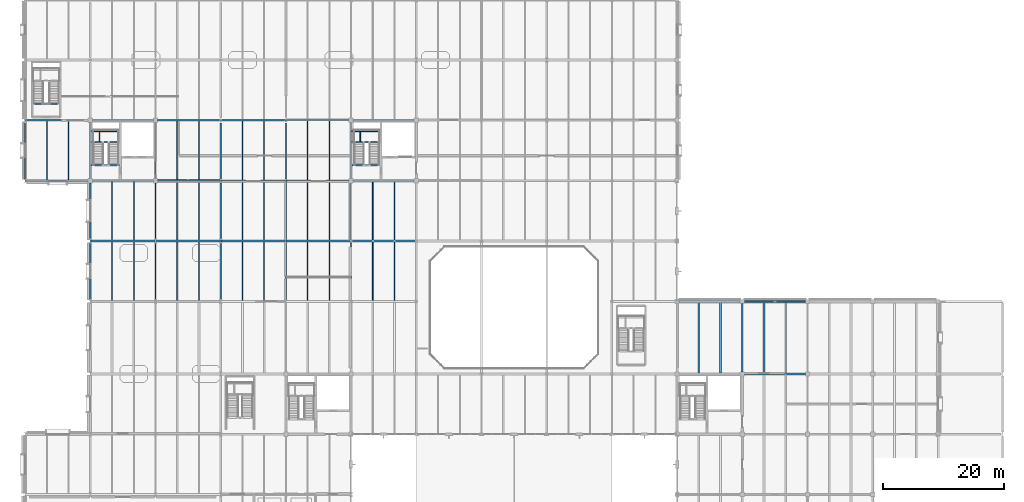
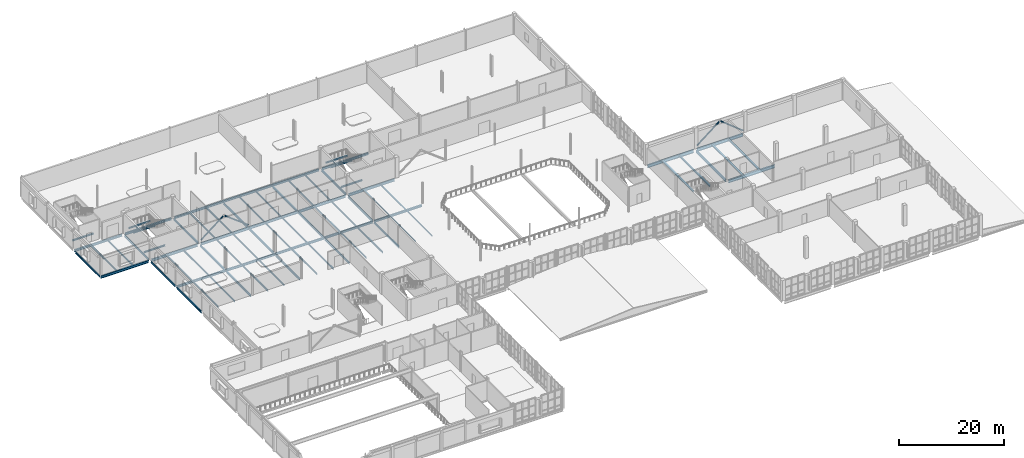
# One storey, part 40 of 92: 78 beams, 4 members.
"""IFC4 building model written with IfcOpenShell, lengths in metres."""

from ifc_helpers import new_model, si_unit, direction, frame, origin, origin_2d, place, context, subcontext, project, spatial, hollow_rectangle, hollow_circle, i_section, extrude, material, material_profile, profile_set, type_object, element, save


model = new_model("IFC4")

# Units and contexts
model_context = context("Model", 3, precision=1e-05, world=origin(), true_north=direction((0.0, 1.0)))
body_context = subcontext(model_context, "Body", "Model", "MODEL_VIEW")
ifc_project = project(units=[si_unit("LENGTHUNIT", "METRE"), si_unit("AREAUNIT", "SQUARE_METRE"), si_unit("VOLUMEUNIT", "CUBIC_METRE"), si_unit("PLANEANGLEUNIT", "RADIAN"), si_unit("MASSUNIT", "GRAM", prefix="KILO")], contexts=[model_context])

# Site, building, storey
site_placement = place(None, origin())
site = spatial("IfcSite", under=ifc_project, at=site_placement, CompositionType="ELEMENT")
building_placement = place(site_placement, origin())
building = spatial("IfcBuilding", under=site, at=building_placement, Name="Tasgan Crest Museum", CompositionType="ELEMENT")
storey_placement = place(building_placement, frame((0.0, 0.0, 4.800048828125)))
storey = spatial("IfcBuildingStorey", under=building, at=storey_placement, Name="L01", CompositionType="ELEMENT", Elevation=4.800048828125)

# Beams
ifc_material_1 = material(Name="Steel S355J2", Category="steel")
ifc_material_profile_1 = material_profile(ifc_material_1, i_section(OverallWidth=0.300048828125, OverallDepth=0.489990234375, WebThickness=0.011962890625, FlangeThickness=0.02294921875, FilletRadius=0.027099609375, at=origin_2d()), Name="HEA 500")
ifc_profile_set_1 = profile_set([ifc_material_profile_1], Name="Steel S355J2")
beam_type_1 = type_object("IfcBeamType", Name="BM-G-HEA500", PredefinedType="BEAM", material=ifc_profile_set_1)
for number, where, z_axis, x_axis, name in (
    (1, (10.806396484375, 72.0, -0.505126953125), (1.0, 0.0, 0.0), (0.0, 1.0, 0.0), "Girder L01 H 10.8-21.6"),
    (2, (21.6064453125, 72.0, -0.505126953125), (1.0, 0.0, 0.0), (0.0, 1.0, 0.0), "Girder L01 H 21.6-32.4"),
):
    element("IfcBeam", number, at=place(storey_placement, frame(where, z_axis=z_axis, x_axis=x_axis)), inside=storey, type_object=beam_type_1, Name=name, PredefinedType="BEAM", context=body_context, shape_type="SweptSolid", body=[
        extrude(i_section(OverallWidth=0.300048828125, OverallDepth=0.489990234375, WebThickness=0.011962890625, FlangeThickness=0.02294921875, FilletRadius=0.027099609375, at=origin_2d()), origin(), (0.0, 0.0, 1.0), 10.787109375),
    ])
beam_1_placement = place(storey_placement, frame((32.406494140625, 72.0, -0.505126953125), z_axis=(1.0, 0.0, 0.0), x_axis=(0.0, 1.0, 0.0)))
element("IfcBeam", 3, at=beam_1_placement, inside=storey, type_object=beam_type_1, Name="Girder L01 H 32.4-43.2", PredefinedType="BEAM", context=body_context, shape_type="SweptSolid", body=[
    extrude(i_section(OverallWidth=0.300048828125, OverallDepth=0.489990234375, WebThickness=0.011962890625, FlangeThickness=0.02294921875, FilletRadius=0.027099609375, at=origin_2d()), origin(), (0.0, 0.0, 1.0), 10.787841796875),
])
beam_2_placement = place(storey_placement, frame((43.205810546875, 72.0, -0.505126953125), z_axis=(1.0, 0.0, 0.0), x_axis=(0.0, 1.0, 0.0)))
element("IfcBeam", 4, at=beam_2_placement, inside=storey, type_object=beam_type_1, Name="Girder L01 H 43.2-54.0", PredefinedType="BEAM", context=body_context, shape_type="SweptSolid", body=[
    extrude(i_section(OverallWidth=0.300048828125, OverallDepth=0.489990234375, WebThickness=0.011962890625, FlangeThickness=0.02294921875, FilletRadius=0.027099609375, at=origin_2d()), origin(), (0.0, 0.0, 1.0), 10.620361328125),
])
beam_3_placement = place(storey_placement, frame((54.173828125, 72.0, -0.485107421875), z_axis=(1.0, 0.0, 0.0), x_axis=(0.0, 1.0, 0.0)))
element("IfcBeam", 5, at=beam_3_placement, inside=storey, type_object=beam_type_1, Name="Girder L01 H 54.0-64.8", PredefinedType="BEAM", context=body_context, shape_type="SweptSolid", body=[
    extrude(i_section(OverallWidth=0.300048828125, OverallDepth=0.489990234375, WebThickness=0.011962890625, FlangeThickness=0.02294921875, FilletRadius=0.027099609375, at=origin_2d()), origin(), (0.0, 0.0, 1.0), 10.452392578125),
])
beam_4_placement = place(storey_placement, frame((0.00732421875, 92.0, -0.485107421875), z_axis=(1.0, 0.0, 0.0), x_axis=(0.0, 1.0, 0.0)))
element("IfcBeam", 6, at=beam_4_placement, inside=storey, type_object=beam_type_1, Name="Girder L01 K 0.0-10.8", PredefinedType="BEAM", context=body_context, shape_type="SweptSolid", body=[
    extrude(i_section(OverallWidth=0.300048828125, OverallDepth=0.489990234375, WebThickness=0.011962890625, FlangeThickness=0.02294921875, FilletRadius=0.027099609375, at=origin_2d()), origin(), (0.0, 0.0, 1.0), 10.44677734375),
])
beam_5_placement = place(storey_placement, frame((11.14599609375, 92.0, -0.485107421875), z_axis=(1.0, 0.0, 0.0), x_axis=(0.0, 1.0, 0.0)))
element("IfcBeam", 7, at=beam_5_placement, inside=storey, type_object=beam_type_1, Name="Girder L01 K 10.8-21.6", PredefinedType="BEAM", context=body_context, shape_type="SweptSolid", body=[
    extrude(i_section(OverallWidth=0.300048828125, OverallDepth=0.489990234375, WebThickness=0.011962890625, FlangeThickness=0.02294921875, FilletRadius=0.027099609375, at=origin_2d()), origin(), (0.0, 0.0, 1.0), 10.10791015625),
])
beam_6_placement = place(storey_placement, frame((21.946044921875, 92.0, -0.485107421875), z_axis=(1.0, 0.0, 0.0), x_axis=(0.0, 1.0, 0.0)))
element("IfcBeam", 8, at=beam_6_placement, inside=storey, type_object=beam_type_1, Name="Girder L01 K 21.6-32.4", PredefinedType="BEAM", context=body_context, shape_type="SweptSolid", body=[
    extrude(i_section(OverallWidth=0.300048828125, OverallDepth=0.489990234375, WebThickness=0.011962890625, FlangeThickness=0.02294921875, FilletRadius=0.027099609375, at=origin_2d()), origin(), (0.0, 0.0, 1.0), 10.44677734375),
])
beam_7_placement = place(storey_placement, frame((32.4072265625, 92.0, -0.485107421875), z_axis=(1.0, 0.0, 0.0), x_axis=(0.0, 1.0, 0.0)))
element("IfcBeam", 9, at=beam_7_placement, inside=storey, type_object=beam_type_1, Name="Girder L01 K 32.4-43.2", PredefinedType="BEAM", context=body_context, shape_type="SweptSolid", body=[
    extrude(i_section(OverallWidth=0.300048828125, OverallDepth=0.489990234375, WebThickness=0.011962890625, FlangeThickness=0.02294921875, FilletRadius=0.027099609375, at=origin_2d()), origin(), (0.0, 0.0, 1.0), 10.78564453125),
])
beam_8_placement = place(storey_placement, frame((43.207275390625, 92.0, -0.485107421875), z_axis=(1.0, 0.0, 0.0), x_axis=(0.0, 1.0, 0.0)))
element("IfcBeam", 10, at=beam_8_placement, inside=storey, type_object=beam_type_1, Name="Girder L01 K 43.2-54.0", PredefinedType="BEAM", context=body_context, shape_type="SweptSolid", body=[
    extrude(i_section(OverallWidth=0.300048828125, OverallDepth=0.489990234375, WebThickness=0.011962890625, FlangeThickness=0.02294921875, FilletRadius=0.027099609375, at=origin_2d()), origin(), (0.0, 0.0, 1.0), 10.44677734375),
])
beam_9_placement = place(storey_placement, frame((54.345947265625, 92.0, -0.485107421875), z_axis=(1.0, 0.0, 0.0), x_axis=(0.0, 1.0, 0.0)))
element("IfcBeam", 11, at=beam_9_placement, inside=storey, type_object=beam_type_1, Name="Girder L01 K 54.0-64.8", PredefinedType="BEAM", context=body_context, shape_type="SweptSolid", body=[
    extrude(i_section(OverallWidth=0.300048828125, OverallDepth=0.489990234375, WebThickness=0.011962890625, FlangeThickness=0.02294921875, FilletRadius=0.027099609375, at=origin_2d()), origin(), (0.0, 0.0, 1.0), 10.108154296875),
])
ifc_material_2 = material(Name="Steel S355J2", Category="steel")
ifc_material_profile_2 = material_profile(ifc_material_2, i_section(OverallWidth=0.300048828125, OverallDepth=0.300048828125, WebThickness=0.010986328125, FlangeThickness=0.01904296875, FilletRadius=0.027099609375, at=origin_2d()), Name="HEB 300")
ifc_profile_set_2 = profile_set([ifc_material_profile_2], Name="Steel S355J2")
beam_type_2 = type_object("IfcBeamType", Name="BM-G-HEB300", PredefinedType="BEAM", material=ifc_profile_set_2)
for number, where, z_axis, x_axis, name in (
    (12, (10.929931640625, 84.550048828125, -0.150146484375), (1.0, 0.0, 0.0), (0.0, 1.0, 0.0), "Stair threshold trimmer beam ST-NW-L01"),
    (13, (54.1298828125, 84.550048828125, -0.150146484375), (1.0, 0.0, 0.0), (0.0, 1.0, 0.0), "Stair threshold trimmer beam ST-NC-L01"),
):
    element("IfcBeam", number, at=place(storey_placement, frame(where, z_axis=z_axis, x_axis=x_axis)), inside=storey, type_object=beam_type_2, Name=name, PredefinedType="BEAM", context=body_context, shape_type="SweptSolid", body=[
        extrude(i_section(OverallWidth=0.300048828125, OverallDepth=0.300048828125, WebThickness=0.010986328125, FlangeThickness=0.01904296875, FilletRadius=0.027099609375, at=origin_2d()), origin(), (0.0, 0.0, 1.0), 4.690185546875),
    ])
beam_10_placement = place(storey_placement, frame((1.179931640625, 94.75, -0.150146484375), z_axis=(1.0, 0.0, 0.0), x_axis=(0.0, 1.0, 0.0)))
element("IfcBeam", 14, at=beam_10_placement, inside=storey, type_object=beam_type_2, Name="Stair threshold trimmer beam ST-GW-L01", PredefinedType="BEAM", context=body_context, shape_type="SweptSolid", body=[
    extrude(i_section(OverallWidth=0.300048828125, OverallDepth=0.300048828125, WebThickness=0.010986328125, FlangeThickness=0.01904296875, FilletRadius=0.027099609375, at=origin_2d()), origin(), (0.0, 0.0, 1.0), 4.64013671875),
])
ifc_material_3 = material(Name="Steel S355K2", Category="steel")
ifc_material_profile_3 = material_profile(ifc_material_3, i_section(OverallWidth=0.300048828125, OverallDepth=0.550048828125, WebThickness=0.014892578125, FlangeThickness=0.029052734375, FilletRadius=0.027099609375, at=origin_2d()), Name="HEB 550")
ifc_profile_set_3 = profile_set([ifc_material_profile_3], Name="Steel S355K2")
beam_type_3 = type_object("IfcBeamType", Name="BM-G-HEB550", PredefinedType="BEAM", material=ifc_profile_set_3)
beam_11_placement = place(storey_placement, frame((0.005859375, 82.0, -0.51513671875), z_axis=(1.0, 0.0, 0.0), x_axis=(0.0, 1.0, 0.0)))
element("IfcBeam", 15, at=beam_11_placement, inside=storey, type_object=beam_type_3, Name="Girder L01 J 0.0-10.8", PredefinedType="BEAM", context=body_context, shape_type="SweptSolid", body=[
    extrude(i_section(OverallWidth=0.300048828125, OverallDepth=0.550048828125, WebThickness=0.014892578125, FlangeThickness=0.029052734375, FilletRadius=0.027099609375, at=origin_2d()), origin(), (0.0, 0.0, 1.0), 10.4482421875),
])
beam_12_placement = place(storey_placement, frame((11.14599609375, 82.0, -0.53515625), z_axis=(1.0, 0.0, 0.0), x_axis=(0.0, 1.0, 0.0)))
element("IfcBeam", 16, at=beam_12_placement, inside=storey, type_object=beam_type_3, Name="Girder L01 J 10.8-21.6", PredefinedType="BEAM", context=body_context, shape_type="SweptSolid", body=[
    extrude(i_section(OverallWidth=0.300048828125, OverallDepth=0.550048828125, WebThickness=0.014892578125, FlangeThickness=0.029052734375, FilletRadius=0.027099609375, at=origin_2d()), origin(), (0.0, 0.0, 1.0), 10.10791015625),
])
beam_13_placement = place(storey_placement, frame((21.946044921875, 82.0, -0.53515625), z_axis=(1.0, 0.0, 0.0), x_axis=(0.0, 1.0, 0.0)))
element("IfcBeam", 17, at=beam_13_placement, inside=storey, type_object=beam_type_3, Name="Girder L01 J 21.6-32.4", PredefinedType="BEAM", context=body_context, shape_type="SweptSolid", body=[
    extrude(i_section(OverallWidth=0.300048828125, OverallDepth=0.550048828125, WebThickness=0.014892578125, FlangeThickness=0.029052734375, FilletRadius=0.027099609375, at=origin_2d()), origin(), (0.0, 0.0, 1.0), 10.447509765625),
])
beam_14_placement = place(storey_placement, frame((32.406494140625, 82.0, -0.53515625), z_axis=(1.0, 0.0, 0.0), x_axis=(0.0, 1.0, 0.0)))
element("IfcBeam", 18, at=beam_14_placement, inside=storey, type_object=beam_type_3, Name="Girder L01 J 32.4-43.2", PredefinedType="BEAM", context=body_context, shape_type="SweptSolid", body=[
    extrude(i_section(OverallWidth=0.300048828125, OverallDepth=0.550048828125, WebThickness=0.014892578125, FlangeThickness=0.029052734375, FilletRadius=0.027099609375, at=origin_2d()), origin(), (0.0, 0.0, 1.0), 10.787841796875),
])
beam_15_placement = place(storey_placement, frame((43.205810546875, 82.0, -0.53515625), z_axis=(1.0, 0.0, 0.0), x_axis=(0.0, 1.0, 0.0)))
element("IfcBeam", 19, at=beam_15_placement, inside=storey, type_object=beam_type_3, Name="Girder L01 J 43.2-54.0", PredefinedType="BEAM", context=body_context, shape_type="SweptSolid", body=[
    extrude(i_section(OverallWidth=0.300048828125, OverallDepth=0.550048828125, WebThickness=0.014892578125, FlangeThickness=0.029052734375, FilletRadius=0.027099609375, at=origin_2d()), origin(), (0.0, 0.0, 1.0), 10.4482421875),
])
beam_16_placement = place(storey_placement, frame((54.345947265625, 82.0, -0.51513671875), z_axis=(1.0, 0.0, 0.0), x_axis=(0.0, 1.0, 0.0)))
element("IfcBeam", 20, at=beam_16_placement, inside=storey, type_object=beam_type_3, Name="Girder L01 J 54.0-64.8", PredefinedType="BEAM", context=body_context, shape_type="SweptSolid", body=[
    extrude(i_section(OverallWidth=0.300048828125, OverallDepth=0.550048828125, WebThickness=0.014892578125, FlangeThickness=0.029052734375, FilletRadius=0.027099609375, at=origin_2d()), origin(), (0.0, 0.0, 1.0), 10.108154296875),
])
ifc_material_4 = material(Name="Steel S355K2", Category="steel")
ifc_material_profile_4 = material_profile(ifc_material_4, i_section(OverallWidth=0.300048828125, OverallDepth=0.699951171875, WebThickness=0.01708984375, FlangeThickness=0.031982421875, FilletRadius=0.027099609375, at=origin_2d()), Name="HEB 700")
ifc_profile_set_4 = profile_set([ifc_material_profile_4], Name="Steel S355K2")
beam_type_4 = type_object("IfcBeamType", Name="BM-G-HEB700", PredefinedType="BEAM", material=ifc_profile_set_4)
beam_17_placement = place(storey_placement, frame((119.14599609375, 50.0, -0.630126953125), z_axis=(1.0, 0.0, 0.0), x_axis=(0.0, 1.0, 0.0)))
element("IfcBeam", 21, at=beam_17_placement, inside=storey, type_object=beam_type_4, Name="Girder L01 F 118.8-129.6", PredefinedType="BEAM", context=body_context, shape_type="SweptSolid", body=[
    extrude(i_section(OverallWidth=0.300048828125, OverallDepth=0.699951171875, WebThickness=0.01708984375, FlangeThickness=0.031982421875, FilletRadius=0.027099609375, at=origin_2d()), origin(), (0.0, 0.0, 1.0), 10.10791015625),
])
beam_18_placement = place(storey_placement, frame((108.345947265625, 62.0, -0.630126953125), z_axis=(1.0, 0.0, 0.0), x_axis=(0.0, 1.0, 0.0)))
element("IfcBeam", 22, at=beam_18_placement, inside=storey, type_object=beam_type_4, Name="Girder L01 G 108.0-118.8", PredefinedType="BEAM", context=body_context, shape_type="SweptSolid", body=[
    extrude(i_section(OverallWidth=0.300048828125, OverallDepth=0.699951171875, WebThickness=0.01708984375, FlangeThickness=0.031982421875, FilletRadius=0.027099609375, at=origin_2d()), origin(), (0.0, 0.0, 1.0), 10.108154296875),
])
beam_19_placement = place(storey_placement, frame((119.14599609375, 62.0, -0.630126953125), z_axis=(1.0, 0.0, 0.0), x_axis=(0.0, 1.0, 0.0)))
element("IfcBeam", 23, at=beam_19_placement, inside=storey, type_object=beam_type_4, Name="Girder L01 G 118.8-129.6", PredefinedType="BEAM", context=body_context, shape_type="SweptSolid", body=[
    extrude(i_section(OverallWidth=0.300048828125, OverallDepth=0.699951171875, WebThickness=0.01708984375, FlangeThickness=0.031982421875, FilletRadius=0.027099609375, at=origin_2d()), origin(), (0.0, 0.0, 1.0), 10.10791015625),
])
ifc_material_5 = material(Name="Steel S355J2", Category="steel")
ifc_material_profile_5 = material_profile(ifc_material_5, i_section(OverallWidth=0.199951171875, OverallDepth=0.5, WebThickness=0.01025390625, FlangeThickness=0.01611328125, FilletRadius=0.02099609375, at=origin_2d()), Name="IPE 500")
ifc_profile_set_5 = profile_set([ifc_material_profile_5], Name="Steel S355J2")
beam_type_5 = type_object("IfcBeamType", Name="BM-G-IPE500", PredefinedType="BEAM", material=ifc_profile_set_5)
beam_20_placement = place(storey_placement, frame((0.0, 82.294921875, -0.489990234375), z_axis=(0.0, 1.0, 0.0), x_axis=(-1.0, 0.0, 0.0)))
element("IfcBeam", 24, at=beam_20_placement, inside=storey, type_object=beam_type_5, Name="Beam L01 1 82.0-92.0", PredefinedType="BEAM", context=body_context, shape_type="SweptSolid", body=[
    extrude(i_section(OverallWidth=0.199951171875, OverallDepth=0.5, WebThickness=0.01025390625, FlangeThickness=0.01611328125, FilletRadius=0.02099609375, at=origin_2d()), origin(), (0.0, 0.0, 1.0), 9.260009765625),
])
for number, where, z_axis, x_axis, name in (
    (25, (10.800048828125, 62.344970703125, -0.510009765625), (0.0, 1.0, 0.0), (-1.0, 0.0, 0.0), "Beam L01 2 62.0-72.0"),
    (26, (10.800048828125, 72.344970703125, -0.510009765625), (0.0, 1.0, 0.0), (-1.0, 0.0, 0.0), "Beam L01 2 72.0-82.0"),
    (27, (10.800048828125, 82.344970703125, -0.489990234375), (0.0, 1.0, 0.0), (-1.0, 0.0, 0.0), "Beam L01 2 82.0-92.0"),
    (28, (21.60009765625, 62.344970703125, -0.510009765625), (0.0, 1.0, 0.0), (-1.0, 0.0, 0.0), "Beam L01 3 62.0-72.0"),
    (29, (21.60009765625, 72.344970703125, -0.510009765625), (0.0, 1.0, 0.0), (-1.0, 0.0, 0.0), "Beam L01 3 72.0-82.0"),
    (30, (21.60009765625, 82.344970703125, -0.489990234375), (0.0, 1.0, 0.0), (-1.0, 0.0, 0.0), "Beam L01 3 82.0-92.0"),
    (31, (32.39990234375, 62.344970703125, -0.510009765625), (0.0, 1.0, 0.0), (-1.0, 0.0, 0.0), "Beam L01 4 62.0-72.0"),
    (32, (32.39990234375, 72.344970703125, -0.510009765625), (0.0, 1.0, 0.0), (-1.0, 0.0, 0.0), "Beam L01 4 72.0-82.0"),
):
    element("IfcBeam", number, at=place(storey_placement, frame(where, z_axis=z_axis, x_axis=x_axis)), inside=storey, type_object=beam_type_5, Name=name, PredefinedType="BEAM", context=body_context, shape_type="SweptSolid", body=[
        extrude(i_section(OverallWidth=0.199951171875, OverallDepth=0.5, WebThickness=0.01025390625, FlangeThickness=0.01611328125, FilletRadius=0.02099609375, at=origin_2d()), origin(), (0.0, 0.0, 1.0), 9.31005859375),
    ])
beam_21_placement = place(storey_placement, frame((32.39990234375, 82.344970703125, -0.489990234375), z_axis=(0.0, 1.0, 0.0), x_axis=(-1.0, 0.0, 0.0)))
element("IfcBeam", 33, at=beam_21_placement, inside=storey, type_object=beam_type_5, Name="Beam L01 4 82.0-92.0", PredefinedType="BEAM", context=body_context, shape_type="SweptSolid", body=[
    extrude(i_section(OverallWidth=0.199951171875, OverallDepth=0.5, WebThickness=0.01025390625, FlangeThickness=0.01611328125, FilletRadius=0.02099609375, at=origin_2d()), origin(), (0.0, 0.0, 1.0), 9.2099609375),
])
for number, where, z_axis, x_axis, name in (
    (34, (43.199951171875, 62.294921875, -0.510009765625), (0.0, 1.0, 0.0), (-1.0, 0.0, 0.0), "Beam L01 5 62.0-72.0"),
    (35, (43.199951171875, 72.294921875, -0.510009765625), (0.0, 1.0, 0.0), (-1.0, 0.0, 0.0), "Beam L01 5 72.0-82.0"),
):
    element("IfcBeam", number, at=place(storey_placement, frame(where, z_axis=z_axis, x_axis=x_axis)), inside=storey, type_object=beam_type_5, Name=name, PredefinedType="BEAM", context=body_context, shape_type="SweptSolid", body=[
        extrude(i_section(OverallWidth=0.199951171875, OverallDepth=0.5, WebThickness=0.01025390625, FlangeThickness=0.01611328125, FilletRadius=0.02099609375, at=origin_2d()), origin(), (0.0, 0.0, 1.0), 9.41015625),
    ])
beam_22_placement = place(storey_placement, frame((43.199951171875, 82.294921875, -0.489990234375), z_axis=(0.0, 1.0, 0.0), x_axis=(-1.0, 0.0, 0.0)))
element("IfcBeam", 36, at=beam_22_placement, inside=storey, type_object=beam_type_5, Name="Beam L01 5 82.0-92.0", PredefinedType="BEAM", context=body_context, shape_type="SweptSolid", body=[
    extrude(i_section(OverallWidth=0.199951171875, OverallDepth=0.5, WebThickness=0.01025390625, FlangeThickness=0.01611328125, FilletRadius=0.02099609375, at=origin_2d()), origin(), (0.0, 0.0, 1.0), 9.260009765625),
])
beam_23_placement = place(storey_placement, frame((54.0, 62.1728515625, -0.510009765625), z_axis=(0.0, 1.0, 0.0), x_axis=(-1.0, 0.0, 0.0)))
element("IfcBeam", 37, at=beam_23_placement, inside=storey, type_object=beam_type_5, Name="Beam L01 6 62.0-72.0", PredefinedType="BEAM", context=body_context, shape_type="SweptSolid", body=[
    extrude(i_section(OverallWidth=0.199951171875, OverallDepth=0.5, WebThickness=0.01025390625, FlangeThickness=0.01611328125, FilletRadius=0.02099609375, at=origin_2d()), origin(), (0.0, 0.0, 1.0), 9.654296875),
])
beam_24_placement = place(storey_placement, frame((54.0, 72.1728515625, -0.510009765625), z_axis=(0.0, 1.0, 0.0), x_axis=(-1.0, 0.0, 0.0)))
element("IfcBeam", 38, at=beam_24_placement, inside=storey, type_object=beam_type_5, Name="Beam L01 6 72.0-82.0", PredefinedType="BEAM", context=body_context, shape_type="SweptSolid", body=[
    extrude(i_section(OverallWidth=0.199951171875, OverallDepth=0.5, WebThickness=0.01025390625, FlangeThickness=0.01611328125, FilletRadius=0.02099609375, at=origin_2d()), origin(), (0.0, 0.0, 1.0), 9.482177734375),
])
beam_25_placement = place(storey_placement, frame((54.0, 82.344970703125, -0.489990234375), z_axis=(0.0, 1.0, 0.0), x_axis=(-1.0, 0.0, 0.0)))
element("IfcBeam", 39, at=beam_25_placement, inside=storey, type_object=beam_type_5, Name="Beam L01 6 82.0-92.0", PredefinedType="BEAM", context=body_context, shape_type="SweptSolid", body=[
    extrude(i_section(OverallWidth=0.199951171875, OverallDepth=0.5, WebThickness=0.01025390625, FlangeThickness=0.01611328125, FilletRadius=0.02099609375, at=origin_2d()), origin(), (0.0, 0.0, 1.0), 9.31005859375),
])
ifc_material_6 = material(Name="Steel S355J2", Category="steel")
ifc_material_profile_6 = material_profile(ifc_material_6, i_section(OverallWidth=0.219970703125, OverallDepth=0.60009765625, WebThickness=0.011962890625, FlangeThickness=0.01904296875, FilletRadius=0.02392578125, at=origin_2d()), Name="IPE 600")
ifc_profile_set_6 = profile_set([ifc_material_profile_6], Name="Steel S355J2")
beam_type_6 = type_object("IfcBeamType", Name="BM-G-IPE600", PredefinedType="BEAM", material=ifc_profile_set_6)
beam_26_placement = place(storey_placement, frame((118.800048828125, 50.344970703125, -0.580078125), z_axis=(0.0, 1.0, 0.0), x_axis=(-1.0, 0.0, 0.0)))
element("IfcBeam", 40, at=beam_26_placement, inside=storey, type_object=beam_type_6, Name="Beam L01 12 50.0-62.0", PredefinedType="BEAM", context=body_context, shape_type="SweptSolid", body=[
    extrude(i_section(OverallWidth=0.219970703125, OverallDepth=0.60009765625, WebThickness=0.011962890625, FlangeThickness=0.01904296875, FilletRadius=0.02392578125, at=origin_2d()), origin(), (0.0, 0.0, 1.0), 11.31005859375),
])
ifc_material_7 = material(Name="Steel S355J2", Category="steel")
ifc_material_profile_7 = material_profile(ifc_material_7, i_section(OverallWidth=0.300048828125, OverallDepth=0.31005859375, WebThickness=0.009033203125, FlangeThickness=0.015380859375, FilletRadius=0.027099609375, at=origin_2d()), Name="HEA 320")
ifc_profile_set_7 = profile_set([ifc_material_profile_7], Name="Steel S355J2")
beam_type_7 = type_object("IfcBeamType", Name="BM-J-HEA320", PredefinedType="JOIST", material=ifc_profile_set_7)
for number, where, z_axis, x_axis, name in (
    (41, (111.60009765625, 50.14501953125, -0.43505859375), (0.0, 1.0, 0.0), (-1.0, 0.0, 0.0), "Secondary joist L01 X=111.6 Y=50.0-62.0"),
    (42, (115.199951171875, 50.14501953125, -0.43505859375), (0.0, 1.0, 0.0), (-1.0, 0.0, 0.0), "Secondary joist L01 X=115.2 Y=50.0-62.0"),
    (43, (122.39990234375, 50.14501953125, -0.43505859375), (0.0, 1.0, 0.0), (-1.0, 0.0, 0.0), "Secondary joist L01 X=122.4 Y=50.0-62.0"),
    (44, (126.0, 50.14501953125, -0.43505859375), (0.0, 1.0, 0.0), (-1.0, 0.0, 0.0), "Secondary joist L01 X=126.0 Y=50.0-62.0"),
):
    element("IfcBeam", number, at=place(storey_placement, frame(where, z_axis=z_axis, x_axis=x_axis)), inside=storey, type_object=beam_type_7, Name=name, PredefinedType="JOIST", context=body_context, shape_type="SweptSolid", body=[
        extrude(i_section(OverallWidth=0.300048828125, OverallDepth=0.31005859375, WebThickness=0.009033203125, FlangeThickness=0.015380859375, FilletRadius=0.027099609375, at=origin_2d()), origin(), (0.0, 0.0, 1.0), 11.7099609375),
    ])
ifc_material_8 = material(Name="Steel S355J2", Category="steel")
ifc_material_profile_8 = material_profile(ifc_material_8, i_section(OverallWidth=0.169921875, OverallDepth=0.360107421875, WebThickness=0.008056640625, FlangeThickness=0.0126953125, FilletRadius=0.01806640625, at=origin_2d()), Name="IPE 360")
ifc_profile_set_8 = profile_set([ifc_material_profile_8], Name="Steel S355J2")
beam_type_8 = type_object("IfcBeamType", Name="BM-J-IPE360", PredefinedType="JOIST", material=ifc_profile_set_8)
for number, where, z_axis, x_axis, name in (
    (45, (3.60009765625, 82.14501953125, -0.420166015625), (0.0, 1.0, 0.0), (-1.0, 0.0, 0.0), "Secondary joist L01 X=3.6 Y=82.0-92.0"),
    (46, (7.199951171875, 82.14501953125, -0.420166015625), (0.0, 1.0, 0.0), (-1.0, 0.0, 0.0), "Secondary joist L01 X=7.2 Y=82.0-92.0"),
    (47, (14.39990234375, 62.14501953125, -0.43994140625), (0.0, 1.0, 0.0), (-1.0, 0.0, 0.0), "Secondary joist L01 X=14.4 Y=62.0-72.0"),
    (48, (18.0, 62.14501953125, -0.43994140625), (0.0, 1.0, 0.0), (-1.0, 0.0, 0.0), "Secondary joist L01 X=18.0 Y=62.0-72.0"),
    (49, (14.39990234375, 72.14501953125, -0.43994140625), (0.0, 1.0, 0.0), (-1.0, 0.0, 0.0), "Secondary joist L01 X=14.4 Y=72.0-82.0"),
    (50, (18.0, 72.14501953125, -0.43994140625), (0.0, 1.0, 0.0), (-1.0, 0.0, 0.0), "Secondary joist L01 X=18.0 Y=72.0-82.0"),
    (51, (25.199951171875, 62.14501953125, -0.43994140625), (0.0, 1.0, 0.0), (-1.0, 0.0, 0.0), "Secondary joist L01 X=25.2 Y=62.0-72.0"),
    (52, (28.800048828125, 62.14501953125, -0.43994140625), (0.0, 1.0, 0.0), (-1.0, 0.0, 0.0), "Secondary joist L01 X=28.8 Y=62.0-72.0"),
    (53, (25.199951171875, 72.14501953125, -0.43994140625), (0.0, 1.0, 0.0), (-1.0, 0.0, 0.0), "Secondary joist L01 X=25.2 Y=72.0-82.0"),
    (54, (28.800048828125, 72.14501953125, -0.43994140625), (0.0, 1.0, 0.0), (-1.0, 0.0, 0.0), "Secondary joist L01 X=28.8 Y=72.0-82.0"),
    (55, (25.199951171875, 82.14501953125, -0.420166015625), (0.0, 1.0, 0.0), (-1.0, 0.0, 0.0), "Secondary joist L01 X=25.2 Y=82.0-92.0"),
    (56, (28.800048828125, 82.14501953125, -0.420166015625), (0.0, 1.0, 0.0), (-1.0, 0.0, 0.0), "Secondary joist L01 X=28.8 Y=82.0-92.0"),
    (57, (36.0, 62.14501953125, -0.43994140625), (0.0, 1.0, 0.0), (-1.0, 0.0, 0.0), "Secondary joist L01 X=36.0 Y=62.0-72.0"),
    (58, (39.60009765625, 62.14501953125, -0.43994140625), (0.0, 1.0, 0.0), (-1.0, 0.0, 0.0), "Secondary joist L01 X=39.6 Y=62.0-72.0"),
    (59, (36.0, 72.14501953125, -0.43994140625), (0.0, 1.0, 0.0), (-1.0, 0.0, 0.0), "Secondary joist L01 X=36.0 Y=72.0-82.0"),
    (60, (39.60009765625, 72.14501953125, -0.43994140625), (0.0, 1.0, 0.0), (-1.0, 0.0, 0.0), "Secondary joist L01 X=39.6 Y=72.0-82.0"),
    (61, (36.0, 82.14501953125, -0.420166015625), (0.0, 1.0, 0.0), (-1.0, 0.0, 0.0), "Secondary joist L01 X=36.0 Y=82.0-92.0"),
    (62, (39.60009765625, 82.14501953125, -0.420166015625), (0.0, 1.0, 0.0), (-1.0, 0.0, 0.0), "Secondary joist L01 X=39.6 Y=82.0-92.0"),
    (63, (46.800048828125, 62.14501953125, -0.43994140625), (0.0, 1.0, 0.0), (-1.0, 0.0, 0.0), "Secondary joist L01 X=46.8 Y=62.0-72.0"),
    (64, (50.39990234375, 62.14501953125, -0.43994140625), (0.0, 1.0, 0.0), (-1.0, 0.0, 0.0), "Secondary joist L01 X=50.4 Y=62.0-72.0"),
    (65, (46.800048828125, 72.14501953125, -0.43994140625), (0.0, 1.0, 0.0), (-1.0, 0.0, 0.0), "Secondary joist L01 X=46.8 Y=72.0-82.0"),
    (66, (50.39990234375, 72.14501953125, -0.43994140625), (0.0, 1.0, 0.0), (-1.0, 0.0, 0.0), "Secondary joist L01 X=50.4 Y=72.0-82.0"),
    (67, (46.800048828125, 82.14501953125, -0.420166015625), (0.0, 1.0, 0.0), (-1.0, 0.0, 0.0), "Secondary joist L01 X=46.8 Y=82.0-92.0"),
    (68, (50.39990234375, 82.14501953125, -0.420166015625), (0.0, 1.0, 0.0), (-1.0, 0.0, 0.0), "Secondary joist L01 X=50.4 Y=82.0-92.0"),
):
    element("IfcBeam", number, at=place(storey_placement, frame(where, z_axis=z_axis, x_axis=x_axis)), inside=storey, type_object=beam_type_8, Name=name, PredefinedType="JOIST", context=body_context, shape_type="SweptSolid", body=[
        extrude(i_section(OverallWidth=0.169921875, OverallDepth=0.360107421875, WebThickness=0.008056640625, FlangeThickness=0.0126953125, FilletRadius=0.01806640625, at=origin_2d()), origin(), (0.0, 0.0, 1.0), 9.7099609375),
    ])
ifc_material_9 = material(Name="Steel S355J2", Category="steel")
ifc_material_profile_9 = material_profile(ifc_material_9, hollow_rectangle(XDim=0.219970703125, YDim=0.219970703125, WallThickness=0.012451171875, InnerFilletRadius=0.012451171875, OuterFilletRadius=0.02490234375, at=origin_2d()), Name="SHS 220x220x12.5")
ifc_profile_set_9 = profile_set([ifc_material_profile_9], Name="Steel S355J2")
beam_type_9 = type_object("IfcBeamType", Name="BM-J-SHS220", PredefinedType="JOIST", material=ifc_profile_set_9)
for number, where, z_axis, x_axis, name in (
    (69, (57.60009765625, 62.14501953125, -0.35009765625), (0.0, 1.0, 0.0), (-1.0, 0.0, 0.0), "Secondary joist L01 X=57.6 Y=62.0-72.0"),
    (70, (61.199951171875, 62.14501953125, -0.35009765625), (0.0, 1.0, 0.0), (-1.0, 0.0, 0.0), "Secondary joist L01 X=61.2 Y=62.0-72.0"),
    (71, (57.60009765625, 72.14501953125, -0.35009765625), (0.0, 1.0, 0.0), (-1.0, 0.0, 0.0), "Secondary joist L01 X=57.6 Y=72.0-82.0"),
    (72, (61.199951171875, 72.14501953125, -0.35009765625), (0.0, 1.0, 0.0), (-1.0, 0.0, 0.0), "Secondary joist L01 X=61.2 Y=72.0-82.0"),
):
    element("IfcBeam", number, at=place(storey_placement, frame(where, z_axis=z_axis, x_axis=x_axis)), inside=storey, type_object=beam_type_9, Name=name, PredefinedType="JOIST", context=body_context, shape_type="SweptSolid", body=[
        extrude(hollow_rectangle(XDim=0.219970703125, YDim=0.219970703125, WallThickness=0.012451171875, InnerFilletRadius=0.012451171875, OuterFilletRadius=0.02490234375, at=origin_2d()), origin(), (0.0, 0.0, 1.0), 9.7099609375),
    ])
ifc_material_10 = material(Name="Steel S355J2", Category="steel")
ifc_material_profile_10 = material_profile(ifc_material_10, i_section(OverallWidth=0.1201171875, OverallDepth=0.239990234375, WebThickness=0.006103515625, FlangeThickness=0.009765625, FilletRadius=0.014892578125, at=origin_2d()), Name="IPE 240")
ifc_profile_set_10 = profile_set([ifc_material_profile_10], Name="Steel S355J2")
beam_type_10 = type_object("IfcBeamType", Name="BM-LAND-IPE240", PredefinedType="BEAM", material=ifc_profile_set_10)
for number, where, z_axis, x_axis, name in (
    (73, (12.324951171875, 88.465087890625, 2.079833984375), (0.0, 1.0, 0.0), (-1.0, 0.0, 0.0), "Stair half-landing crossbeam ST-NW-L01 T1"),
    (74, (55.52490234375, 88.465087890625, 2.079833984375), (0.0, 1.0, 0.0), (-1.0, 0.0, 0.0), "Stair half-landing crossbeam ST-NC-L01 T1"),
):
    element("IfcBeam", number, at=place(storey_placement, frame(where, z_axis=z_axis, x_axis=x_axis)), inside=storey, type_object=beam_type_10, Name=name, PredefinedType="BEAM", context=body_context, shape_type="SweptSolid", body=[
        extrude(i_section(OverallWidth=0.1201171875, OverallDepth=0.239990234375, WebThickness=0.006103515625, FlangeThickness=0.009765625, FilletRadius=0.014892578125, at=origin_2d()), origin(), (0.0, 0.0, 1.0), 1.679931640625),
    ])
ifc_material_11 = material(Name="Steel S355J2", Category="steel")
ifc_material_profile_11 = material_profile(ifc_material_11, i_section(OverallWidth=0.135009765625, OverallDepth=0.27001953125, WebThickness=0.006591796875, FlangeThickness=0.01025390625, FilletRadius=0.014892578125, at=origin_2d()), Name="IPE 270")
ifc_profile_set_11 = profile_set([ifc_material_profile_11], Name="Steel S355J2")
beam_type_11 = type_object("IfcBeamType", Name="BM-LAND-IPE270", PredefinedType="BEAM", material=ifc_profile_set_11)
for number, where, z_axis, x_axis, name in (
    (75, (10.929931640625, 88.405029296875, 2.06494140625), (1.0, 0.0, 0.0), (0.0, 1.0, 0.0), "Stair half-landing beam ST-NW-L01 T1F"),
    (76, (10.929931640625, 90.205078125, 2.06494140625), (1.0, 0.0, 0.0), (0.0, 1.0, 0.0), "Stair half-landing beam ST-NW-L01 T1B"),
    (77, (54.1298828125, 88.405029296875, 2.06494140625), (1.0, 0.0, 0.0), (0.0, 1.0, 0.0), "Stair half-landing beam ST-NC-L01 T1F"),
    (78, (54.1298828125, 90.205078125, 2.06494140625), (1.0, 0.0, 0.0), (0.0, 1.0, 0.0), "Stair half-landing beam ST-NC-L01 T1B"),
):
    element("IfcBeam", number, at=place(storey_placement, frame(where, z_axis=z_axis, x_axis=x_axis)), inside=storey, type_object=beam_type_11, Name=name, PredefinedType="BEAM", context=body_context, shape_type="SweptSolid", body=[
        extrude(i_section(OverallWidth=0.135009765625, OverallDepth=0.27001953125, WebThickness=0.006591796875, FlangeThickness=0.01025390625, FilletRadius=0.014892578125, at=origin_2d()), origin(), (0.0, 0.0, 1.0), 4.690185546875),
    ])

# Members
ifc_material_12 = material(Name="Steel S355K2", Category="steel")
ifc_material_profile_12 = material_profile(ifc_material_12, hollow_circle(Radius=0.161865234375, WallThickness=0.01416015625, at=origin_2d()), Name="CHS 323.9x14.2")
ifc_profile_set_12 = profile_set([ifc_material_profile_12], Name="Steel S355K2")
member_type = type_object("IfcMemberType", Name="MEM-BRACE-CHS323", PredefinedType="BRACE", material=ifc_profile_set_12)
member_1_placement = place(storey_placement, frame((21.949951171875, 82.0, 0.349853515625), z_axis=(0.784256051889, 0.0, 0.620437301487), x_axis=(0.0, 1.0, 0.0)))
element("IfcMember", 79, at=member_1_placement, inside=storey, type_object=member_type, Name="Chevron brace L L01 J 21.6", PredefinedType="BRACE", context=body_context, shape_type="SweptSolid", body=[
    extrude(hollow_circle(Radius=0.161865234375, WallThickness=0.01416015625, at=origin_2d()), origin(), (0.0, 0.0, 1.0), 6.2861328125),
])
member_2_placement = place(storey_placement, frame((32.25, 82.0, 0.349853515625), z_axis=(-0.796054864328, 0.0, 0.605224464955), x_axis=(0.0, -1.0, 0.0)))
element("IfcMember", 80, at=member_2_placement, inside=storey, type_object=member_type, Name="Chevron brace R L01 J 32.4", PredefinedType="BRACE", context=body_context, shape_type="SweptSolid", body=[
    extrude(hollow_circle(Radius=0.161865234375, WallThickness=0.01416015625, at=origin_2d()), origin(), (0.0, 0.0, 1.0), 6.444091796875),
])
member_3_placement = place(storey_placement, frame((119.14990234375, 62.0, 0.349853515625), z_axis=(0.784271001606, 0.0, 0.620418404014), x_axis=(0.0, 1.0, 0.0)))
element("IfcMember", 81, at=member_3_placement, inside=storey, type_object=member_type, Name="Chevron brace L L01 G 118.8", PredefinedType="BRACE", context=body_context, shape_type="SweptSolid", body=[
    extrude(hollow_circle(Radius=0.161865234375, WallThickness=0.01416015625, at=origin_2d()), origin(), (0.0, 0.0, 1.0), 6.286376953125),
])
member_4_placement = place(storey_placement, frame((129.25, 62.0, 0.349853515625), z_axis=(-0.784256051889, 0.0, 0.620437301487), x_axis=(0.0, -1.0, 0.0)))
element("IfcMember", 82, at=member_4_placement, inside=storey, type_object=member_type, Name="Chevron brace R L01 G 129.6", PredefinedType="BRACE", context=body_context, shape_type="SweptSolid", body=[
    extrude(hollow_circle(Radius=0.161865234375, WallThickness=0.01416015625, at=origin_2d()), origin(), (0.0, 0.0, 1.0), 6.2861328125),
])

save(model, "model.ifc")
